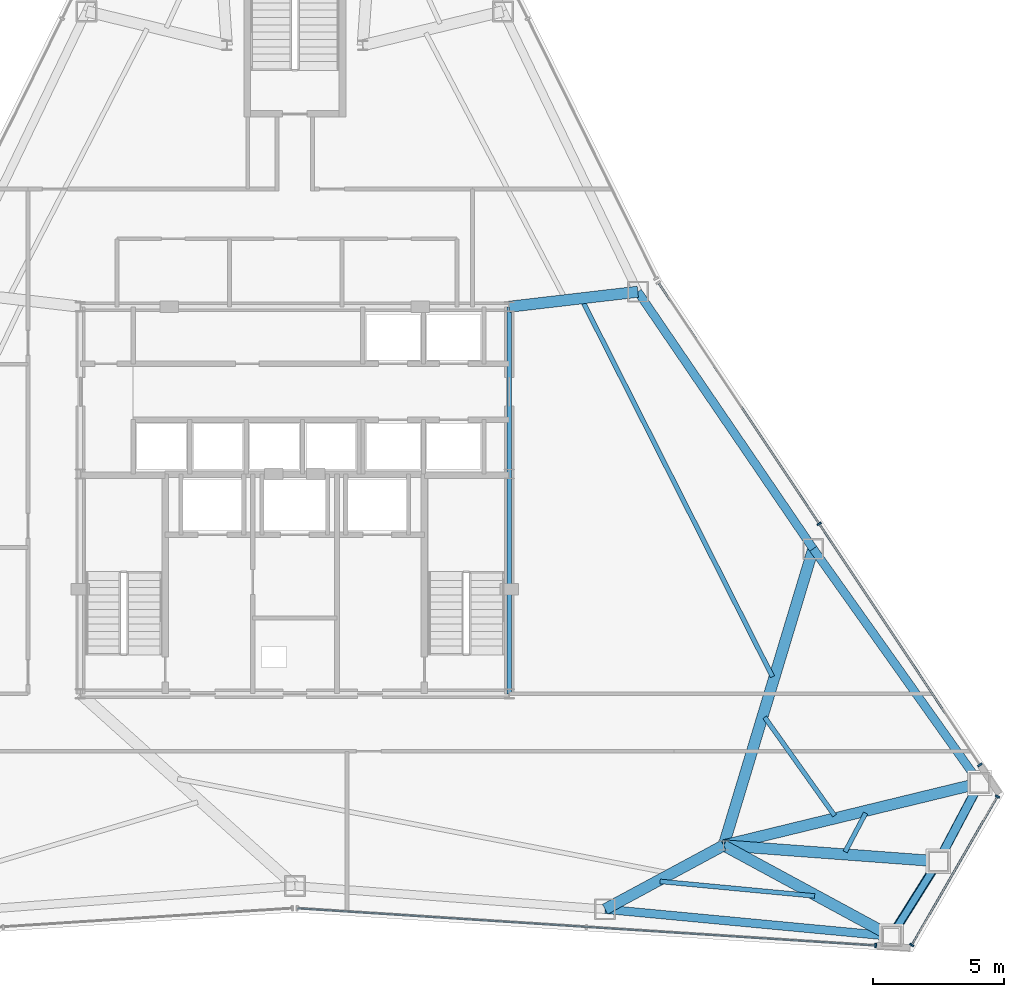
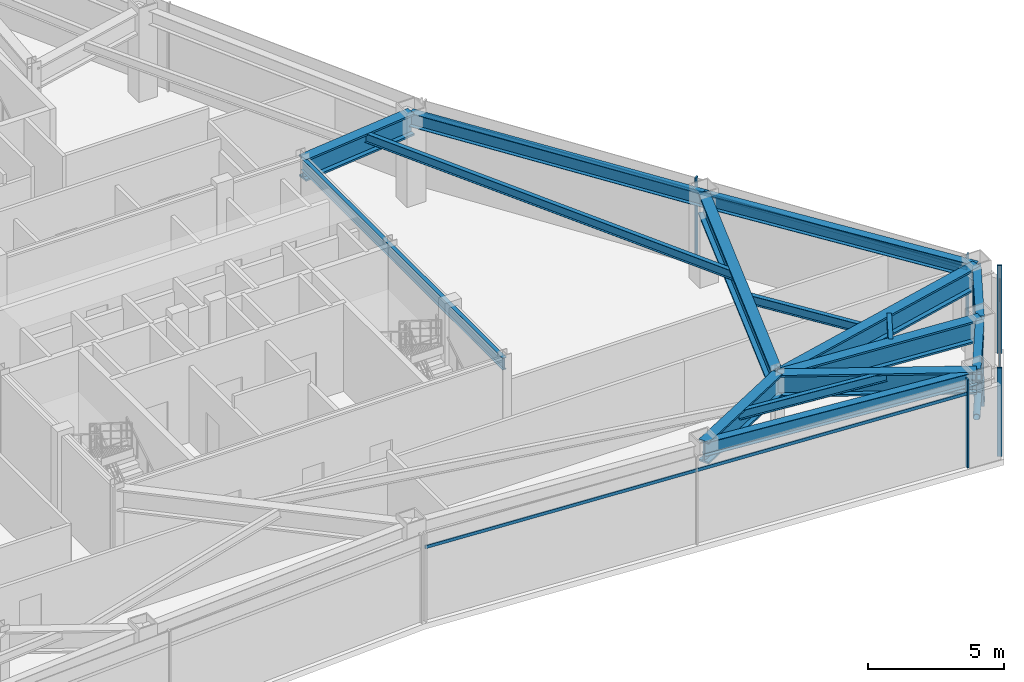
# One storey, part 7 of 13: 16 beams, 11 members, 3 elements without a shape of their own.
"""IFC4 building model written with IfcOpenShell, lengths in metres."""

from ifc_helpers import new_model, si_unit, direction, frame, origin, origin_2d, place, context, subcontext, project, spatial, rectangle, hollow_rectangle, hollow_circle, i_section, extrude, source, transform, mapped, material, layer, layer_set, material_profile, profile_set, type_object, type_shapes, element, aggregate, save


model = new_model("IFC4")

# Units and contexts
model_context = context("Model", 3, precision=1e-05, world=origin(), true_north=direction((0.0, 1.0)))
body_context = subcontext(model_context, "Body", "Model", "MODEL_VIEW")
ifc_project = project(units=[si_unit("LENGTHUNIT", "METRE"), si_unit("AREAUNIT", "SQUARE_METRE"), si_unit("VOLUMEUNIT", "CUBIC_METRE"), si_unit("PLANEANGLEUNIT", "RADIAN"), si_unit("MASSUNIT", "GRAM", prefix="KILO")], contexts=[model_context])

# Site, building, storey
site_placement = place(None, origin())
site = spatial("IfcSite", under=ifc_project, at=site_placement, CompositionType="ELEMENT")
building_placement = place(site_placement, origin())
building = spatial("IfcBuilding", under=site, at=building_placement, Name="Varakhsha Concourse Tower", CompositionType="ELEMENT")
storey_placement = place(building_placement, frame((0.0, 0.0, 200.699951171875)))
storey = spatial("IfcBuildingStorey", under=building, at=storey_placement, Name="L57", CompositionType="ELEMENT", Elevation=200.699951171875)

# Beams
ifc_material_1 = material(Name="Structural Steel ASTM A992 Grade 50", Category="steel")
ifc_material_profile_1 = material_profile(ifc_material_1, i_section(OverallWidth=0.177978515625, OverallDepth=0.406982421875, WebThickness=0.008056640625, FlangeThickness=0.012939453125, at=origin_2d()), Name="W16X40")
ifc_profile_set_1 = profile_set([ifc_material_profile_1], Name="Structural Steel ASTM A992 Grade 50")
beam_type_1 = type_object("IfcBeamType", Name="BM-JST-W16X40", PredefinedType="JOIST", material=ifc_profile_set_1)
beam_1_placement = place(storey_placement, frame((53.971435546875, 9.222412109375, 3.74658203125), z_axis=(0.995582477115, -0.09389106061, 0.0), x_axis=(0.09389106061, 0.995582477115, 0.0)))
element("IfcBeam", 1, at=beam_1_placement, inside=storey, type_object=beam_type_1, Name="BM-TJST-L57-12", PredefinedType="JOIST", context=body_context, shape_type="SweptSolid", body=[
    extrude(i_section(OverallWidth=0.177978515625, OverallDepth=0.406982421875, WebThickness=0.008056640625, FlangeThickness=0.012939453125, at=origin_2d()), origin(), (0.0, 0.0, 1.0), 5.936279296875),
])
beam_2_placement = place(storey_placement, frame((61.04931640625, 10.356201171875, 3.74658203125), z_axis=(0.467686695149, 0.883894312223, 0.0), x_axis=(-0.883894312223, 0.467686695149, 0.0)))
element("IfcBeam", 2, at=beam_2_placement, inside=storey, type_object=beam_type_1, Name="BM-TJST-L57-14", PredefinedType="JOIST", context=body_context, shape_type="SweptSolid", body=[
    extrude(i_section(OverallWidth=0.177978515625, OverallDepth=0.406982421875, WebThickness=0.008056640625, FlangeThickness=0.012939453125, at=origin_2d()), origin(), (0.0, 0.0, 1.0), 1.674072265625),
])
beam_3_placement = place(storey_placement, frame((60.64501953125, 11.7373046875, 3.74658203125), z_axis=(-0.579130378475, 0.815234938363, 0.0), x_axis=(-0.815234938363, -0.579130378475, 0.0)))
element("IfcBeam", 3, at=beam_3_placement, inside=storey, type_object=beam_type_1, Name="BM-TJST-L57-15", PredefinedType="JOIST", context=body_context, shape_type="SweptSolid", body=[
    extrude(i_section(OverallWidth=0.177978515625, OverallDepth=0.406982421875, WebThickness=0.008056640625, FlangeThickness=0.012939453125, at=origin_2d()), origin(), (0.0, 0.0, 1.0), 4.616943359375),
])
beam_4_placement = place(storey_placement, frame((58.269287109375, 17.05029296875, 3.74658203125), z_axis=(-0.451132580705, 0.89245694273, 0.0), x_axis=(-0.89245694273, -0.451132580705, 0.0)))
element("IfcBeam", 4, at=beam_4_placement, inside=storey, type_object=beam_type_1, Name="BM-TJST-L57-16", PredefinedType="JOIST", context=body_context, shape_type="SweptSolid", body=[
    extrude(i_section(OverallWidth=0.177978515625, OverallDepth=0.406982421875, WebThickness=0.008056640625, FlangeThickness=0.012939453125, at=origin_2d()), origin(), (0.0, 0.0, 1.0), 16.104736328125),
])
ifc_material_profile_2 = material_profile(ifc_material_1, i_section(OverallWidth=0.1669921875, OverallDepth=0.534912109375, WebThickness=0.010009765625, FlangeThickness=0.01708984375, at=origin_2d()), Name="W21X57")
ifc_profile_set_2 = profile_set([ifc_material_profile_2], Name="Structural Steel ASTM A992 Grade 50")
beam_type_2 = type_object("IfcBeamType", Name="BM-RAD-W21X57", PredefinedType="BEAM", material=ifc_profile_set_2)
beam_5_placement = place(storey_placement, frame((48.199951171875, 16.39990234375, 3.6826171875), z_axis=(0.0, 1.0, 0.0), x_axis=(-1.0, 0.0, 0.0)))
element("IfcBeam", 5, at=beam_5_placement, inside=storey, type_object=beam_type_2, Name="BM-TCORE-L57-CE", PredefinedType="BEAM", context=body_context, shape_type="SweptSolid", body=[
    extrude(i_section(OverallWidth=0.1669921875, OverallDepth=0.534912109375, WebThickness=0.010009765625, FlangeThickness=0.01708984375, at=origin_2d()), origin(), (0.0, 0.0, 1.0), 14.800048828125),
])
ifc_material_profile_3 = material_profile(ifc_material_1, i_section(OverallWidth=0.323974609375, OverallDepth=0.611083984375, WebThickness=0.012939453125, FlangeThickness=0.01904296875, at=origin_2d()), Name="W24X104")
ifc_profile_set_3 = profile_set([ifc_material_profile_3], Name="Structural Steel ASTM A992 Grade 50")
beam_type_3 = type_object("IfcBeamType", Name="BM-SPAN-W24X104", PredefinedType="SPANDREL", material=ifc_profile_set_3)
beam_6_placement = place(storey_placement, frame((51.867919921875, 8.158447265625, 3.64453125), z_axis=(0.995583968361, -0.093875246699, 0.0), x_axis=(0.093875246699, 0.995583968361, 0.0)))
element("IfcBeam", 6, at=beam_6_placement, inside=storey, type_object=beam_type_3, Name="BM-SPAN-L57-12", PredefinedType="SPANDREL", context=body_context, shape_type="SweptSolid", body=[
    extrude(i_section(OverallWidth=0.323974609375, OverallDepth=0.611083984375, WebThickness=0.012939453125, FlangeThickness=0.01904296875, at=origin_2d()), origin(), (0.0, 0.0, 1.0), 10.9931640625),
])
beam_7_placement = place(storey_placement, frame((62.8125, 7.12646484375, 3.64453125), z_axis=(0.531620036619, 0.84698296126, 0.0), x_axis=(-0.84698296126, 0.531620036619, 0.0)))
element("IfcBeam", 7, at=beam_7_placement, inside=storey, type_object=beam_type_3, Name="BM-SPAN-L57-13", PredefinedType="SPANDREL", context=body_context, shape_type="SweptSolid", body=[
    extrude(i_section(OverallWidth=0.323974609375, OverallDepth=0.611083984375, WebThickness=0.012939453125, FlangeThickness=0.01904296875, at=origin_2d()), origin(), (0.0, 0.0, 1.0), 3.38232421875),
])
beam_8_placement = place(storey_placement, frame((64.610595703125, 9.9912109375, 3.64453125), z_axis=(0.467682080046, 0.883896754154, 0.0), x_axis=(-0.883896754154, 0.467682080046, 0.0)))
element("IfcBeam", 8, at=beam_8_placement, inside=storey, type_object=beam_type_3, Name="BM-SPAN-L57-14", PredefinedType="SPANDREL", context=body_context, shape_type="SweptSolid", body=[
    extrude(i_section(OverallWidth=0.323974609375, OverallDepth=0.611083984375, WebThickness=0.012939453125, FlangeThickness=0.01904296875, at=origin_2d()), origin(), (0.0, 0.0, 1.0), 3.382080078125),
])
beam_9_placement = place(storey_placement, frame((66.1923828125, 12.980712890625, 3.64453125), z_axis=(-0.579082848609, 0.815268700765, 0.0), x_axis=(-0.815268700765, -0.579082848609, 0.0)))
element("IfcBeam", 9, at=beam_9_placement, inside=storey, type_object=beam_type_3, Name="BM-SPAN-L57-15", PredefinedType="SPANDREL", context=body_context, shape_type="SweptSolid", body=[
    extrude(i_section(OverallWidth=0.323974609375, OverallDepth=0.611083984375, WebThickness=0.012939453125, FlangeThickness=0.01904296875, at=origin_2d()), origin(), (0.0, 0.0, 1.0), 10.9931640625),
])
beam_10_placement = place(storey_placement, frame((59.826416015625, 21.943115234375, 3.64453125), z_axis=(-0.563657595968, 0.826008543846, 0.0), x_axis=(-0.826008543846, -0.563657595968, 0.0)))
element("IfcBeam", 10, at=beam_10_placement, inside=storey, type_object=beam_type_3, Name="BM-SPAN-L57-16", PredefinedType="SPANDREL", context=body_context, shape_type="SweptSolid", body=[
    extrude(i_section(OverallWidth=0.323974609375, OverallDepth=0.611083984375, WebThickness=0.012939453125, FlangeThickness=0.01904296875, at=origin_2d()), origin(), (0.0, 0.0, 1.0), 11.9013671875),
])
ifc_material_profile_4 = material_profile(ifc_material_1, i_section(OverallWidth=0.427978515625, OverallDepth=0.97509765625, WebThickness=0.050048828125, FlangeThickness=0.0810546875, at=origin_2d()), Name="W36X395")
ifc_profile_set_4 = profile_set([ifc_material_profile_4], Name="Structural Steel ASTM A992 Grade 50")
beam_type_4 = type_object("IfcBeamType", Name="BM-XFER-W36X395", PredefinedType="USERDEFINED", material=ifc_profile_set_4)
beam_11_placement = place(storey_placement, frame((56.39990234375, 10.60009765625, 3.462646484375), z_axis=(-0.880361431867, -0.474303435873, 0.0), x_axis=(0.474303435873, -0.880361431867, 0.0)))
element("IfcBeam", 11, at=beam_11_placement, inside=storey, type_object=beam_type_4, Name="L57 Radial Floor Girder 12", ObjectType="GIRDER", PredefinedType="USERDEFINED", context=body_context, shape_type="SweptSolid", body=[
    extrude(i_section(OverallWidth=0.427978515625, OverallDepth=0.97509765625, WebThickness=0.050048828125, FlangeThickness=0.0810546875, at=origin_2d()), origin(), (0.0, 0.0, 1.0), 5.14794921875),
])
beam_12_placement = place(storey_placement, frame((56.39990234375, 10.60009765625, 3.462646484375), z_axis=(0.879283788348, -0.476298246426, 0.0), x_axis=(0.476298246426, 0.879283788348, 0.0)))
element("IfcBeam", 12, at=beam_12_placement, inside=storey, type_object=beam_type_4, Name="L57 Radial Floor Girder 13", ObjectType="GIRDER", PredefinedType="USERDEFINED", context=body_context, shape_type="SweptSolid", body=[
    extrude(i_section(OverallWidth=0.427978515625, OverallDepth=0.97509765625, WebThickness=0.050048828125, FlangeThickness=0.0810546875, at=origin_2d()), origin(), (0.0, 0.0, 1.0), 7.29296875),
])
beam_13_placement = place(storey_placement, frame((56.39990234375, 10.60009765625, 3.462646484375), z_axis=(0.997261601939, -0.073954697607, 0.0), x_axis=(0.073954697607, 0.997261601939, 0.0)))
element("IfcBeam", 13, at=beam_13_placement, inside=storey, type_object=beam_type_4, Name="L57 Radial Floor Girder 14", ObjectType="GIRDER", PredefinedType="USERDEFINED", context=body_context, shape_type="SweptSolid", body=[
    extrude(i_section(OverallWidth=0.427978515625, OverallDepth=0.97509765625, WebThickness=0.050048828125, FlangeThickness=0.0810546875, at=origin_2d()), origin(), (0.0, 0.0, 1.0), 8.233154296875),
])
beam_14_placement = place(storey_placement, frame((56.39990234375, 10.60009765625, 3.462646484375), z_axis=(0.971698119607, 0.236226087367, 0.0), x_axis=(-0.236226087367, 0.971698119607, 0.0)))
element("IfcBeam", 14, at=beam_14_placement, inside=storey, type_object=beam_type_4, Name="L57 Radial Floor Girder 15", ObjectType="GIRDER", PredefinedType="USERDEFINED", context=body_context, shape_type="SweptSolid", body=[
    extrude(i_section(OverallWidth=0.427978515625, OverallDepth=0.97509765625, WebThickness=0.050048828125, FlangeThickness=0.0810546875, at=origin_2d()), origin(), (0.0, 0.0, 1.0), 10.07763671875),
])
beam_15_placement = place(storey_placement, frame((56.39990234375, 10.60009765625, 3.462646484375), z_axis=(0.289175246503, 0.957276175829, 0.0), x_axis=(-0.957276175829, 0.289175246503, 0.0)))
element("IfcBeam", 15, at=beam_15_placement, inside=storey, type_object=beam_type_4, Name="L57 Radial Floor Girder 16", ObjectType="GIRDER", PredefinedType="USERDEFINED", context=body_context, shape_type="SweptSolid", body=[
    extrude(i_section(OverallWidth=0.427978515625, OverallDepth=0.97509765625, WebThickness=0.050048828125, FlangeThickness=0.0810546875, at=origin_2d()), origin(), (0.0, 0.0, 1.0), 11.849365234375),
])
beam_16_placement = place(storey_placement, frame((48.199951171875, 31.199951171875, 3.462646484375), z_axis=(0.993264557786, 0.115868538635, 0.0), x_axis=(-0.115868538635, 0.993264557786, 0.0)))
element("IfcBeam", 16, at=beam_16_placement, inside=storey, type_object=beam_type_4, Name="L57 Radial Floor Girder 17", ObjectType="GIRDER", PredefinedType="USERDEFINED", context=body_context, shape_type="SweptSolid", body=[
    extrude(i_section(OverallWidth=0.427978515625, OverallDepth=0.97509765625, WebThickness=0.050048828125, FlangeThickness=0.0810546875, at=origin_2d()), origin(), (0.0, 0.0, 1.0), 4.95166015625),
])

# Members
ifc_material_2 = material(Name="Structural Steel ASTM A500 Grade C", Category="steel")
ifc_material_profile_5 = material_profile(ifc_material_2, hollow_rectangle(XDim=0.35009765625, YDim=0.35009765625, WallThickness=0.01611328125, at=origin_2d()), Name="HSS 350x350x16")
ifc_profile_set_5 = profile_set([ifc_material_profile_5], Name="Structural Steel ASTM A500 Grade C")
member_type_1 = type_object("IfcMemberType", Name="MB-TUBE-HSS350", PredefinedType="BRACE", material=ifc_profile_set_5)
shared_shape_1 = source(origin(), body_context, "Body", "SweptSolid", [
    extrude(hollow_rectangle(XDim=0.35009765625, YDim=0.35009765625, WallThickness=0.01611328125, at=origin_2d()), origin(), (0.0, 0.0, 1.0), 4.888916015625),
])
member_1_placement = place(storey_placement, frame((64.610595703125, 9.9912109375, 0.1201171875), z_axis=(-0.367793913984, -0.585973358681, 0.722054609952), x_axis=(0.84698296126, -0.531620036619, 0.0)))
element("IfcMember", 17, at=member_1_placement, inside=storey, type_object=member_type_1, Name="L57 Wind-Corner Tube Brace B05", PredefinedType="BRACE", context=body_context, shape_type="MappedRepresentation", body=[
    mapped(shared_shape_1, transform((0.0, 0.0, 0.0), scale=1.0)),
])
shared_shape_2 = source(origin(), body_context, "Body", "SweptSolid", [
    extrude(hollow_rectangle(XDim=0.35009765625, YDim=0.35009765625, WallThickness=0.01611328125, at=origin_2d()), origin(), (0.0, 0.0, 1.0), 4.888671875),
])
type_shapes(member_type_1, [shared_shape_1, shared_shape_2])
member_2_placement = place(storey_placement, frame((64.610595703125, 9.9912109375, 0.1201171875), z_axis=(0.323553829648, 0.61150125699, 0.722065877895), x_axis=(-0.883896754154, 0.467682080046, 0.0)))
element("IfcMember", 18, at=member_2_placement, inside=storey, type_object=member_type_1, Name="L57 Wind-Corner Tube Brace B06", PredefinedType="BRACE", context=body_context, shape_type="MappedRepresentation", body=[
    mapped(shared_shape_2, transform((0.0, 0.0, 0.0), scale=1.0)),
])
ifc_material_profile_6 = material_profile(ifc_material_2, hollow_circle(Radius=0.136474609375, WallThickness=0.011962890625, at=origin_2d()), Name="CHS 273x12")
ifc_profile_set_6 = profile_set([ifc_material_profile_6], Name="Structural Steel ASTM A500 Grade C")
member_type_2 = type_object("IfcMemberType", Name="MB-WIND-CHS273", PredefinedType="COLLAR", material=ifc_profile_set_6)
shared_shape_3 = source(origin(), body_context, "Body", "SweptSolid", [
    extrude(hollow_circle(Radius=0.136474609375, WallThickness=0.011962890625, at=origin_2d()), origin(), (0.0, 0.0, 1.0), 3.38232421875),
])
type_shapes(member_type_2, [shared_shape_3])
member_3_placement = place(storey_placement, frame((62.8125, 7.12646484375, 1.800048828125), z_axis=(0.531620036619, 0.84698296126, 0.0), x_axis=(-0.84698296126, 0.531620036619, 0.0)))
element("IfcMember", 19, at=member_3_placement, inside=storey, type_object=member_type_2, Name="L57 Wind-Corner Collar Tie 3", PredefinedType="COLLAR", context=body_context, shape_type="MappedRepresentation", body=[
    mapped(shared_shape_3, transform((0.0, 0.0, 0.0), scale=1.0)),
])

# Curtain wall, member
ifc_material_3 = material(Name="Anodised Bronze Architectural Aluminium AA 6063-T6", Category="aluminium")
ifc_layer = layer(ifc_material_3, 0.199951171875, Name="CW-SYS-05")
ifc_layer_set = layer_set([ifc_layer], Name="Anodised Bronze Architectural Aluminium AA 6063-T6")
curtain_wall_type = type_object("IfcCurtainWallType", Name="CW-SYS-05", PredefinedType="NOTDEFINED", material=ifc_layer_set)
curtain_wall_1_placement = place(storey_placement, origin())
curtain_wall_1 = element("IfcCurtainWall", 20, at=curtain_wall_1_placement, inside=storey, type_object=curtain_wall_type, Name="L57 Crystal Curtain Wall F6", PredefinedType="NOTDEFINED")
ifc_material_profile_7 = material_profile(ifc_material_3, rectangle(XDim=0.06494140625, YDim=0.179931640625, at=origin_2d()), Name="CWM-180X65")
ifc_profile_set_7 = profile_set([ifc_material_profile_7], Name="Anodised Bronze Architectural Aluminium AA 6063-T6")
member_type_3 = type_object("IfcMemberType", Name="CWM-180X65", PredefinedType="MULLION", material=ifc_profile_set_7)
shared_shape_4 = source(origin(), body_context, "Body", "SweptSolid", [
    extrude(rectangle(XDim=0.06494140625, YDim=0.179931640625, at=origin_2d()), origin(), (0.0, 0.0, 1.0), 3.949951171875),
])
type_shapes(member_type_3, [shared_shape_4])
member_4_placement = place(storey_placement, frame((62.2158203125, 6.77099609375, 0.0), z_axis=(0.0, 0.0, 1.0), x_axis=(-0.997935057794, 0.064230992718, 0.0)))
member_4 = element("IfcMember", 21, at=member_4_placement, type_object=member_type_3, Name="CW-L57-F6 Mullion 00", PredefinedType="MULLION", context=body_context, shape_type="MappedRepresentation", body=[
    mapped(shared_shape_4, transform((0.0, 0.0, 0.0), scale=1.0)),
])

# Curtain wall, members
curtain_wall_2_placement = place(storey_placement, origin())
curtain_wall_2 = element("IfcCurtainWall", 22, at=curtain_wall_2_placement, inside=storey, type_object=curtain_wall_type, Name="L57 Chamfer Curtain Wall F7", PredefinedType="NOTDEFINED")
member_5_placement = place(storey_placement, frame((66.8740234375, 12.4716796875, 0.0), z_axis=(0.0, 0.0, 1.0), x_axis=(-0.499995465495, -0.866028021766, 0.0)))
member_5 = element("IfcMember", 23, at=member_5_placement, type_object=member_type_3, Name="CW-L57-F7 Mullion 00", PredefinedType="MULLION", context=body_context, shape_type="MappedRepresentation", body=[
    mapped(shared_shape_4, transform((0.0, 0.0, 0.0), scale=1.0)),
])
member_6_placement = place(storey_placement, frame((63.593994140625, 6.79052734375, 0.0), z_axis=(0.0, 0.0, 1.0), x_axis=(-0.499995465495, -0.866028021766, 0.0)))
member_6 = element("IfcMember", 24, at=member_6_placement, type_object=member_type_3, Name="CW-L57-F7 Mullion 01", PredefinedType="MULLION", context=body_context, shape_type="MappedRepresentation", body=[
    mapped(shared_shape_4, transform((0.0, 0.0, 0.0), scale=1.0)),
])

curtain_wall_3_placement = place(storey_placement, origin())
curtain_wall_3 = element("IfcCurtainWall", 25, at=curtain_wall_3_placement, inside=storey, type_object=curtain_wall_type, Name="L57 Crystal Curtain Wall F8", PredefinedType="NOTDEFINED")
member_7_placement = place(storey_placement, frame((60.053955078125, 22.89990234375, 0.0), z_axis=(0.0, 0.0, 1.0), x_axis=(0.554591747974, -0.832122582964, 0.0)))
member_7 = element("IfcMember", 26, at=member_7_placement, type_object=member_type_3, Name="CW-L57-F8 Mullion 01", PredefinedType="MULLION", context=body_context, shape_type="MappedRepresentation", body=[
    mapped(shared_shape_4, transform((0.0, 0.0, 0.0), scale=1.0)),
])
member_8_placement = place(storey_placement, frame((66.201904296875, 13.675048828125, 0.0), z_axis=(0.0, 0.0, 1.0), x_axis=(0.554591747974, -0.832122582964, 0.0)))
member_8 = element("IfcMember", 27, at=member_8_placement, type_object=member_type_3, Name="CW-L57-F8 Mullion 02", PredefinedType="MULLION", context=body_context, shape_type="MappedRepresentation", body=[
    mapped(shared_shape_4, transform((0.0, 0.0, 0.0), scale=1.0)),
])

# Member
ifc_material_profile_8 = material_profile(ifc_material_3, rectangle(XDim=0.06005859375, YDim=0.139892578125, at=origin_2d()), Name="CWT-140X60")
ifc_profile_set_8 = profile_set([ifc_material_profile_8], Name="Anodised Bronze Architectural Aluminium AA 6063-T6")
member_type_4 = type_object("IfcMemberType", Name="CWT-140X60", PredefinedType="USERDEFINED", material=ifc_profile_set_8)
shared_shape_5 = source(origin(), body_context, "Body", "SweptSolid", [
    extrude(rectangle(XDim=0.06005859375, YDim=0.139892578125, at=origin_2d()), origin(), (0.0, 0.0, 1.0), 6.56005859375),
])
member_9_placement = place(storey_placement, frame((66.8740234375, 12.4716796875, 3.300048828125), z_axis=(-0.500001653409, -0.866024449186, 0.0), x_axis=(0.866024449186, -0.500001653409, 0.0)))
member_9 = element("IfcMember", 28, at=member_9_placement, type_object=member_type_4, Name="CW-L57-F7 Transom 01", ObjectType="TRANSOM", PredefinedType="USERDEFINED", context=body_context, shape_type="MappedRepresentation", body=[
    mapped(shared_shape_5, transform((0.0, 0.0, 0.0), scale=1.0)),
])

aggregate(curtain_wall_2, [member_5, member_6, member_9])

shared_shape_6 = source(origin(), body_context, "Body", "SweptSolid", [
    extrude(rectangle(XDim=0.06005859375, YDim=0.139892578125, at=origin_2d()), origin(), (0.0, 0.0, 1.0), 22.171630859375),
])
type_shapes(member_type_4, [shared_shape_5, shared_shape_6])
member_10_placement = place(storey_placement, frame((62.2158203125, 6.77099609375, 3.300048828125), z_axis=(-0.997935133461, 0.064229817091, 0.0), x_axis=(-0.064229817091, -0.997935133461, 0.0)))
member_10 = element("IfcMember", 29, at=member_10_placement, type_object=member_type_4, Name="CW-L57-F6 Transom 01", ObjectType="TRANSOM", PredefinedType="USERDEFINED", context=body_context, shape_type="MappedRepresentation", body=[
    mapped(shared_shape_6, transform((0.0, 0.0, 0.0), scale=1.0)),
])

aggregate(curtain_wall_1, [member_4, member_10])

member_11_placement = place(storey_placement, frame((53.90576171875, 32.12451171875, 3.300048828125), z_axis=(0.554590924126, -0.832123132041, 0.0), x_axis=(0.832123132041, 0.554590924126, 0.0)))
member_11 = element("IfcMember", 30, at=member_11_placement, type_object=member_type_4, Name="CW-L57-F8 Transom 01", ObjectType="TRANSOM", PredefinedType="USERDEFINED", context=body_context, shape_type="MappedRepresentation", body=[
    mapped(shared_shape_6, transform((0.0, 0.0, 0.0), scale=1.0)),
])

aggregate(curtain_wall_3, [member_7, member_8, member_11])

save(model, "model.ifc")
